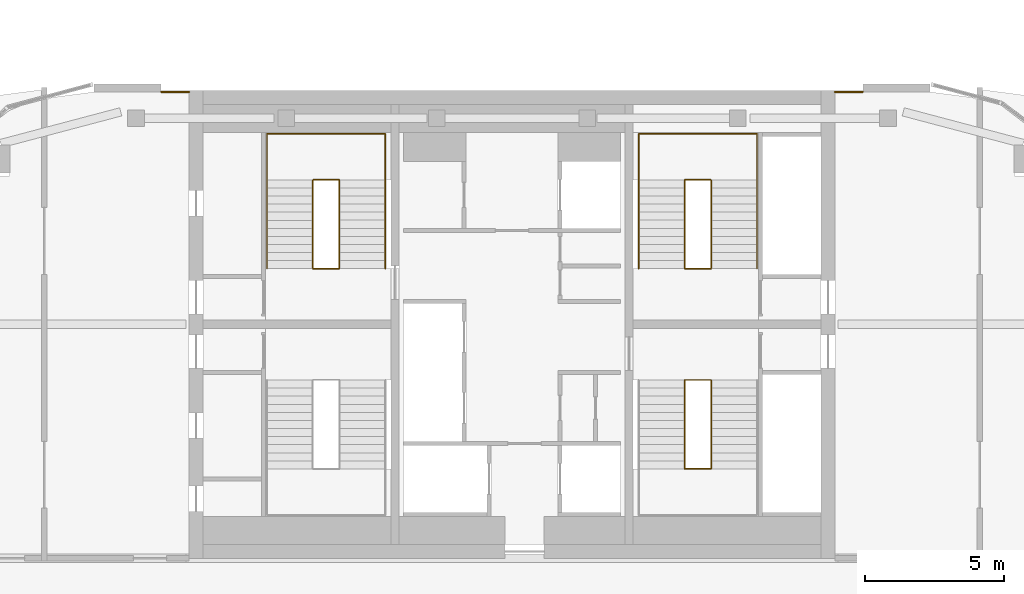
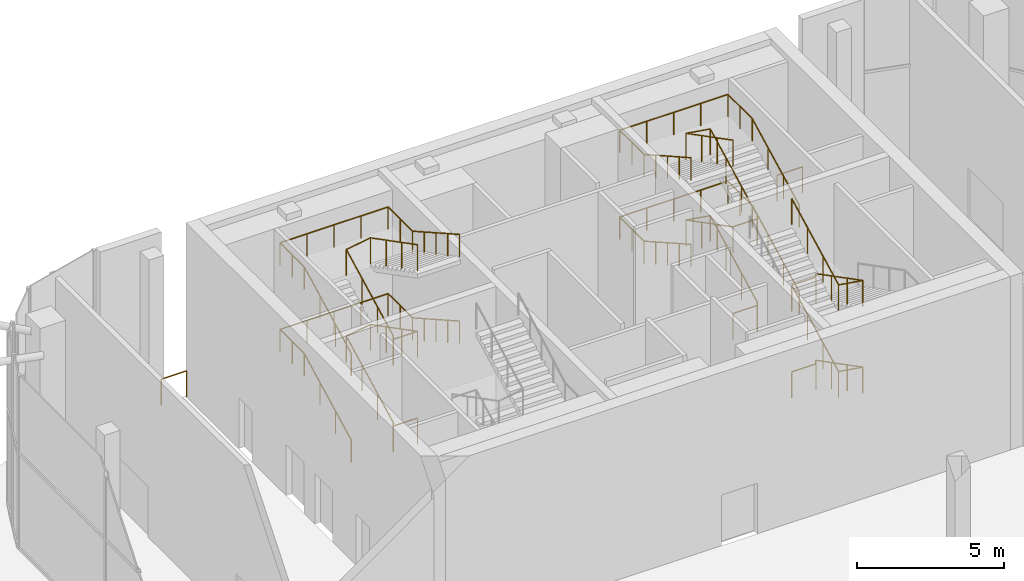
# One storey, part 25 of 25: 12 railings.
"""IFC4 building model written with IfcOpenShell, lengths in metres."""

from ifc_helpers import new_model, si_unit, direction, frame, origin, origin_2d, place, context, subcontext, project, spatial, circle, extrude, material, type_object, element, save


model = new_model("IFC4")

# Units and contexts
model_context = context("Model", 3, precision=1e-05, world=origin(), true_north=direction((0.0, 1.0)))
body_context = subcontext(model_context, "Body", "Model", "MODEL_VIEW")
ifc_project = project(units=[si_unit("LENGTHUNIT", "METRE"), si_unit("AREAUNIT", "SQUARE_METRE"), si_unit("VOLUMEUNIT", "CUBIC_METRE"), si_unit("PLANEANGLEUNIT", "RADIAN"), si_unit("MASSUNIT", "GRAM", prefix="KILO")], contexts=[model_context])

# Site, building, storey
site_placement = place(None, origin())
site = spatial("IfcSite", under=ifc_project, at=site_placement, CompositionType="ELEMENT")
building_placement = place(site_placement, origin())
building = spatial("IfcBuilding", under=site, at=building_placement, Name="Marenta Gate Hotel Tower", CompositionType="ELEMENT")
storey_placement = place(building_placement, frame((0.0, 0.0, 281.300048828125)))
storey = spatial("IfcBuildingStorey", under=building, at=storey_placement, Name="L65", CompositionType="ELEMENT", Elevation=281.300048828125)

# Railings
ifc_material_1 = material(Name="Stainless steel", Category="steel")
railing_type_1 = type_object("IfcRailingType", Name="Core stair handrail 950", PredefinedType="HANDRAIL", material=ifc_material_1)
railing_1_placement = place(storey_placement, frame((-8.800048828125, 10.39990234375, 0.14990234375)))
element("IfcRailing", 1, at=railing_1_placement, inside=storey, type_object=railing_type_1, Name="HR-950 L65-KR-ST2-1", PredefinedType="HANDRAIL", context=body_context, shape_type="SweptSolid", body=[
    extrude(circle(Radius=0.02392578125, at=origin_2d()), frame((0.0, 0.0, 0.92578125), z_axis=(0.0, 0.888211904222, 0.459434013977), x_axis=(-1.0, 0.0, 0.0)), (0.0, 0.0, 1.0), 3.591796875),
    extrude(circle(Radius=0.02392578125, at=origin_2d()), frame((0.0, 3.190185546875, 2.576171875), z_axis=(0.0, 1.0, 0.0), x_axis=(-1.0, 0.0, 0.0)), (0.0, 0.0, 1.0), 1.659912109375),
    extrude(circle(Radius=0.02392578125, at=origin_2d()), frame((0.0, 4.85009765625, 2.576171875), z_axis=(1.0, 0.0, 0.0), x_axis=(0.0, 1.0, 0.0)), (0.0, 0.0, 1.0), 4.25),
    extrude(circle(Radius=0.02392578125, at=origin_2d()), frame((4.25, 4.85009765625, 2.576171875), z_axis=(0.0, -1.0, 0.0), x_axis=(1.0, 0.0, 0.0)), (0.0, 0.0, 1.0), 1.659912109375),
    extrude(circle(Radius=0.02392578125, at=origin_2d()), frame((4.25, 3.190185546875, 2.576171875), z_axis=(0.0, -0.870953600603, 0.491365266982), x_axis=(1.0, 0.0, 0.0)), (0.0, 0.0, 1.0), 3.662841796875),
    extrude(circle(Radius=0.02099609375, at=origin_2d()), origin(), (0.0, 0.0, 1.0), 0.90185546875),
    extrude(circle(Radius=0.02099609375, at=origin_2d()), frame((0.0, 1.0634765625, 0.550048828125)), (0.0, 0.0, 1.0), 0.90185546875),
    extrude(circle(Radius=0.02099609375, at=origin_2d()), frame((0.0, 2.126708984375, 1.10009765625)), (0.0, 0.0, 1.0), 0.90185546875),
    extrude(circle(Radius=0.02099609375, at=origin_2d()), frame((0.0, 3.190185546875, 1.650146484375)), (0.0, 0.0, 1.0), 0.90185546875),
    extrude(circle(Radius=0.02099609375, at=origin_2d()), frame((0.0, 4.02001953125, 1.650146484375)), (0.0, 0.0, 1.0), 0.90185546875),
    extrude(circle(Radius=0.02099609375, at=origin_2d()), frame((0.0, 4.85009765625, 1.650146484375)), (0.0, 0.0, 1.0), 0.90185546875),
    extrude(circle(Radius=0.02099609375, at=origin_2d()), frame((1.0625, 4.85009765625, 1.650146484375)), (0.0, 0.0, 1.0), 0.90185546875),
    extrude(circle(Radius=0.02099609375, at=origin_2d()), frame((2.125, 4.85009765625, 1.650146484375)), (0.0, 0.0, 1.0), 0.90185546875),
    extrude(circle(Radius=0.02099609375, at=origin_2d()), frame((3.1875, 4.85009765625, 1.650146484375)), (0.0, 0.0, 1.0), 0.90185546875),
    extrude(circle(Radius=0.02099609375, at=origin_2d()), frame((4.25, 4.85009765625, 1.650146484375)), (0.0, 0.0, 1.0), 0.90185546875),
    extrude(circle(Radius=0.02099609375, at=origin_2d()), frame((4.25, 4.02001953125, 1.650146484375)), (0.0, 0.0, 1.0), 0.90185546875),
    extrude(circle(Radius=0.02099609375, at=origin_2d()), frame((4.25, 3.190185546875, 1.650146484375)), (0.0, 0.0, 1.0), 0.90185546875),
    extrude(circle(Radius=0.02099609375, at=origin_2d()), frame((4.25, 2.392578125, 2.10009765625)), (0.0, 0.0, 1.0), 0.90185546875),
    extrude(circle(Radius=0.02099609375, at=origin_2d()), frame((4.25, 1.59521484375, 2.550048828125)), (0.0, 0.0, 1.0), 0.90185546875),
    extrude(circle(Radius=0.02099609375, at=origin_2d()), frame((4.25, 0.797607421875, 3.0)), (0.0, 0.0, 1.0), 0.90185546875),
    extrude(circle(Radius=0.02099609375, at=origin_2d()), frame((4.25, 0.0, 3.449951171875)), (0.0, 0.0, 1.0), 0.90185546875),
])
railing_2_placement = place(storey_placement, frame((-8.800048828125, 10.39990234375, 3.75)))
element("IfcRailing", 2, at=railing_2_placement, inside=storey, type_object=railing_type_1, Name="HR-950 L65-KR-ST2-3", PredefinedType="HANDRAIL", context=body_context, shape_type="SweptSolid", body=[
    extrude(circle(Radius=0.02392578125, at=origin_2d()), frame((0.0, 0.0, 0.92578125), z_axis=(0.0, 0.888239641807, 0.459380385653), x_axis=(-1.0, 0.0, 0.0)), (0.0, 0.0, 1.0), 3.591552734375),
    extrude(circle(Radius=0.02392578125, at=origin_2d()), frame((0.0, 3.190185546875, 2.57568359375), z_axis=(0.0, 1.0, 0.0), x_axis=(-1.0, 0.0, 0.0)), (0.0, 0.0, 1.0), 1.659912109375),
    extrude(circle(Radius=0.02392578125, at=origin_2d()), frame((0.0, 4.85009765625, 2.57568359375), z_axis=(1.0, 0.0, 0.0), x_axis=(0.0, 1.0, 0.0)), (0.0, 0.0, 1.0), 4.25),
    extrude(circle(Radius=0.02392578125, at=origin_2d()), frame((4.25, 4.85009765625, 2.57568359375), z_axis=(0.0, -1.0, 0.0), x_axis=(1.0, 0.0, 0.0)), (0.0, 0.0, 1.0), 1.659912109375),
    extrude(circle(Radius=0.02392578125, at=origin_2d()), frame((4.25, 3.190185546875, 2.57568359375), z_axis=(0.0, -0.870925075533, 0.491415824742), x_axis=(1.0, 0.0, 0.0)), (0.0, 0.0, 1.0), 3.6630859375),
    extrude(circle(Radius=0.02099609375, at=origin_2d()), origin(), (0.0, 0.0, 1.0), 0.90185546875),
    extrude(circle(Radius=0.02099609375, at=origin_2d()), frame((0.0, 1.0634765625, 0.550048828125)), (0.0, 0.0, 1.0), 0.90185546875),
    extrude(circle(Radius=0.02099609375, at=origin_2d()), frame((0.0, 2.126708984375, 1.099853515625)), (0.0, 0.0, 1.0), 0.90185546875),
    extrude(circle(Radius=0.02099609375, at=origin_2d()), frame((0.0, 3.190185546875, 1.64990234375)), (0.0, 0.0, 1.0), 0.90185546875),
    extrude(circle(Radius=0.02099609375, at=origin_2d()), frame((0.0, 4.02001953125, 1.64990234375)), (0.0, 0.0, 1.0), 0.90185546875),
    extrude(circle(Radius=0.02099609375, at=origin_2d()), frame((0.0, 4.85009765625, 1.64990234375)), (0.0, 0.0, 1.0), 0.90185546875),
    extrude(circle(Radius=0.02099609375, at=origin_2d()), frame((1.0625, 4.85009765625, 1.64990234375)), (0.0, 0.0, 1.0), 0.90185546875),
    extrude(circle(Radius=0.02099609375, at=origin_2d()), frame((2.125, 4.85009765625, 1.64990234375)), (0.0, 0.0, 1.0), 0.90185546875),
    extrude(circle(Radius=0.02099609375, at=origin_2d()), frame((3.1875, 4.85009765625, 1.64990234375)), (0.0, 0.0, 1.0), 0.90185546875),
    extrude(circle(Radius=0.02099609375, at=origin_2d()), frame((4.25, 4.85009765625, 1.64990234375)), (0.0, 0.0, 1.0), 0.90185546875),
    extrude(circle(Radius=0.02099609375, at=origin_2d()), frame((4.25, 4.02001953125, 1.64990234375)), (0.0, 0.0, 1.0), 0.90185546875),
    extrude(circle(Radius=0.02099609375, at=origin_2d()), frame((4.25, 3.190185546875, 1.64990234375)), (0.0, 0.0, 1.0), 0.90185546875),
    extrude(circle(Radius=0.02099609375, at=origin_2d()), frame((4.25, 2.392578125, 2.099853515625)), (0.0, 0.0, 1.0), 0.90185546875),
    extrude(circle(Radius=0.02099609375, at=origin_2d()), frame((4.25, 1.59521484375, 2.5498046875)), (0.0, 0.0, 1.0), 0.90185546875),
    extrude(circle(Radius=0.02099609375, at=origin_2d()), frame((4.25, 0.797607421875, 3.0)), (0.0, 0.0, 1.0), 0.90185546875),
    extrude(circle(Radius=0.02099609375, at=origin_2d()), frame((4.25, 0.0, 3.449951171875)), (0.0, 0.0, 1.0), 0.90185546875),
])
railing_3_placement = place(storey_placement, frame((8.800048828125, 10.39990234375, 0.14990234375)))
element("IfcRailing", 3, at=railing_3_placement, inside=storey, type_object=railing_type_1, Name="HR-950 L65-KR-ST4-1", PredefinedType="HANDRAIL", context=body_context, shape_type="SweptSolid", body=[
    extrude(circle(Radius=0.02392578125, at=origin_2d()), frame((0.0, 0.0, 0.92578125), z_axis=(0.0, 0.888211904222, 0.459434013977), x_axis=(-1.0, 0.0, 0.0)), (0.0, 0.0, 1.0), 3.591796875),
    extrude(circle(Radius=0.02392578125, at=origin_2d()), frame((0.0, 3.190185546875, 2.576171875), z_axis=(0.0, 1.0, 0.0), x_axis=(-1.0, 0.0, 0.0)), (0.0, 0.0, 1.0), 1.659912109375),
    extrude(circle(Radius=0.02392578125, at=origin_2d()), frame((0.0, 4.85009765625, 2.576171875), z_axis=(-1.0, 0.0, 0.0), x_axis=(0.0, -1.0, 0.0)), (0.0, 0.0, 1.0), 4.25),
    extrude(circle(Radius=0.02392578125, at=origin_2d()), frame((-4.25, 4.85009765625, 2.576171875), z_axis=(0.0, -1.0, 0.0), x_axis=(1.0, 0.0, 0.0)), (0.0, 0.0, 1.0), 1.659912109375),
    extrude(circle(Radius=0.02392578125, at=origin_2d()), frame((-4.25, 3.190185546875, 2.576171875), z_axis=(0.0, -0.870953600603, 0.491365266982), x_axis=(1.0, 0.0, 0.0)), (0.0, 0.0, 1.0), 3.662841796875),
    extrude(circle(Radius=0.02099609375, at=origin_2d()), origin(), (0.0, 0.0, 1.0), 0.90185546875),
    extrude(circle(Radius=0.02099609375, at=origin_2d()), frame((0.0, 1.0634765625, 0.550048828125)), (0.0, 0.0, 1.0), 0.90185546875),
    extrude(circle(Radius=0.02099609375, at=origin_2d()), frame((0.0, 2.126708984375, 1.10009765625)), (0.0, 0.0, 1.0), 0.90185546875),
    extrude(circle(Radius=0.02099609375, at=origin_2d()), frame((0.0, 3.190185546875, 1.650146484375)), (0.0, 0.0, 1.0), 0.90185546875),
    extrude(circle(Radius=0.02099609375, at=origin_2d()), frame((0.0, 4.02001953125, 1.650146484375)), (0.0, 0.0, 1.0), 0.90185546875),
    extrude(circle(Radius=0.02099609375, at=origin_2d()), frame((0.0, 4.85009765625, 1.650146484375)), (0.0, 0.0, 1.0), 0.90185546875),
    extrude(circle(Radius=0.02099609375, at=origin_2d()), frame((-1.0625, 4.85009765625, 1.650146484375)), (0.0, 0.0, 1.0), 0.90185546875),
    extrude(circle(Radius=0.02099609375, at=origin_2d()), frame((-2.125, 4.85009765625, 1.650146484375)), (0.0, 0.0, 1.0), 0.90185546875),
    extrude(circle(Radius=0.02099609375, at=origin_2d()), frame((-3.1875, 4.85009765625, 1.650146484375)), (0.0, 0.0, 1.0), 0.90185546875),
    extrude(circle(Radius=0.02099609375, at=origin_2d()), frame((-4.25, 4.85009765625, 1.650146484375)), (0.0, 0.0, 1.0), 0.90185546875),
    extrude(circle(Radius=0.02099609375, at=origin_2d()), frame((-4.25, 4.02001953125, 1.650146484375)), (0.0, 0.0, 1.0), 0.90185546875),
    extrude(circle(Radius=0.02099609375, at=origin_2d()), frame((-4.25, 3.190185546875, 1.650146484375)), (0.0, 0.0, 1.0), 0.90185546875),
    extrude(circle(Radius=0.02099609375, at=origin_2d()), frame((-4.25, 2.392578125, 2.10009765625)), (0.0, 0.0, 1.0), 0.90185546875),
    extrude(circle(Radius=0.02099609375, at=origin_2d()), frame((-4.25, 1.59521484375, 2.550048828125)), (0.0, 0.0, 1.0), 0.90185546875),
    extrude(circle(Radius=0.02099609375, at=origin_2d()), frame((-4.25, 0.797607421875, 3.0)), (0.0, 0.0, 1.0), 0.90185546875),
    extrude(circle(Radius=0.02099609375, at=origin_2d()), frame((-4.25, 0.0, 3.449951171875)), (0.0, 0.0, 1.0), 0.90185546875),
])
railing_4_placement = place(storey_placement, frame((8.800048828125, 10.39990234375, 3.75)))
element("IfcRailing", 4, at=railing_4_placement, inside=storey, type_object=railing_type_1, Name="HR-950 L65-KR-ST4-3", PredefinedType="HANDRAIL", context=body_context, shape_type="SweptSolid", body=[
    extrude(circle(Radius=0.02392578125, at=origin_2d()), frame((0.0, 0.0, 0.92578125), z_axis=(0.0, 0.888239641807, 0.459380385653), x_axis=(-1.0, 0.0, 0.0)), (0.0, 0.0, 1.0), 3.591552734375),
    extrude(circle(Radius=0.02392578125, at=origin_2d()), frame((0.0, 3.190185546875, 2.57568359375), z_axis=(0.0, 1.0, 0.0), x_axis=(-1.0, 0.0, 0.0)), (0.0, 0.0, 1.0), 1.659912109375),
    extrude(circle(Radius=0.02392578125, at=origin_2d()), frame((0.0, 4.85009765625, 2.57568359375), z_axis=(-1.0, 0.0, 0.0), x_axis=(0.0, -1.0, 0.0)), (0.0, 0.0, 1.0), 4.25),
    extrude(circle(Radius=0.02392578125, at=origin_2d()), frame((-4.25, 4.85009765625, 2.57568359375), z_axis=(0.0, -1.0, 0.0), x_axis=(1.0, 0.0, 0.0)), (0.0, 0.0, 1.0), 1.659912109375),
    extrude(circle(Radius=0.02392578125, at=origin_2d()), frame((-4.25, 3.190185546875, 2.57568359375), z_axis=(0.0, -0.870925075533, 0.491415824742), x_axis=(1.0, 0.0, 0.0)), (0.0, 0.0, 1.0), 3.6630859375),
    extrude(circle(Radius=0.02099609375, at=origin_2d()), origin(), (0.0, 0.0, 1.0), 0.90185546875),
    extrude(circle(Radius=0.02099609375, at=origin_2d()), frame((0.0, 1.0634765625, 0.550048828125)), (0.0, 0.0, 1.0), 0.90185546875),
    extrude(circle(Radius=0.02099609375, at=origin_2d()), frame((0.0, 2.126708984375, 1.099853515625)), (0.0, 0.0, 1.0), 0.90185546875),
    extrude(circle(Radius=0.02099609375, at=origin_2d()), frame((0.0, 3.190185546875, 1.64990234375)), (0.0, 0.0, 1.0), 0.90185546875),
    extrude(circle(Radius=0.02099609375, at=origin_2d()), frame((0.0, 4.02001953125, 1.64990234375)), (0.0, 0.0, 1.0), 0.90185546875),
    extrude(circle(Radius=0.02099609375, at=origin_2d()), frame((0.0, 4.85009765625, 1.64990234375)), (0.0, 0.0, 1.0), 0.90185546875),
    extrude(circle(Radius=0.02099609375, at=origin_2d()), frame((-1.0625, 4.85009765625, 1.64990234375)), (0.0, 0.0, 1.0), 0.90185546875),
    extrude(circle(Radius=0.02099609375, at=origin_2d()), frame((-2.125, 4.85009765625, 1.64990234375)), (0.0, 0.0, 1.0), 0.90185546875),
    extrude(circle(Radius=0.02099609375, at=origin_2d()), frame((-3.1875, 4.85009765625, 1.64990234375)), (0.0, 0.0, 1.0), 0.90185546875),
    extrude(circle(Radius=0.02099609375, at=origin_2d()), frame((-4.25, 4.85009765625, 1.64990234375)), (0.0, 0.0, 1.0), 0.90185546875),
    extrude(circle(Radius=0.02099609375, at=origin_2d()), frame((-4.25, 4.02001953125, 1.64990234375)), (0.0, 0.0, 1.0), 0.90185546875),
    extrude(circle(Radius=0.02099609375, at=origin_2d()), frame((-4.25, 3.190185546875, 1.64990234375)), (0.0, 0.0, 1.0), 0.90185546875),
    extrude(circle(Radius=0.02099609375, at=origin_2d()), frame((-4.25, 2.392578125, 2.099853515625)), (0.0, 0.0, 1.0), 0.90185546875),
    extrude(circle(Radius=0.02099609375, at=origin_2d()), frame((-4.25, 1.59521484375, 2.5498046875)), (0.0, 0.0, 1.0), 0.90185546875),
    extrude(circle(Radius=0.02099609375, at=origin_2d()), frame((-4.25, 0.797607421875, 3.0)), (0.0, 0.0, 1.0), 0.90185546875),
    extrude(circle(Radius=0.02099609375, at=origin_2d()), frame((-4.25, 0.0, 3.449951171875)), (0.0, 0.0, 1.0), 0.90185546875),
])
ifc_material_2 = material(Name="Stainless steel", Category="steel")
railing_type_2 = type_object("IfcRailingType", Name="Core stair well guard 1100", PredefinedType="GUARDRAIL", material=ifc_material_2)
railing_5_placement = place(storey_placement, frame((-6.199951171875, 10.39990234375, 0.0)))
element("IfcRailing", 5, at=railing_5_placement, inside=storey, type_object=railing_type_2, Name="GR-1100 L65-KR-ST2-2", PredefinedType="GUARDRAIL", context=body_context, shape_type="SweptSolid", body=[
    extrude(circle(Radius=0.02392578125, at=origin_2d()), frame((0.0, 0.0, 1.076171875), z_axis=(-1.0, 0.0, 0.0), x_axis=(0.0, -1.0, 0.0)), (0.0, 0.0, 1.0), 0.949951171875),
    extrude(circle(Radius=0.02392578125, at=origin_2d()), frame((-0.949951171875, 0.0, 1.076171875), z_axis=(0.0, 0.0, 1.0), x_axis=(1.0, 0.0, 0.0)), (0.0, 0.0, 1.0), 0.14990234375),
    extrude(circle(Radius=0.02392578125, at=origin_2d()), frame((-0.949951171875, 0.0, 1.22607421875), z_axis=(0.0, 0.888211904222, 0.459434013977), x_axis=(-1.0, 0.0, 0.0)), (0.0, 0.0, 1.0), 3.591796875),
    extrude(circle(Radius=0.02392578125, at=origin_2d()), frame((-0.949951171875, 3.190185546875, 2.8759765625), z_axis=(0.987777369502, 0.0, 0.15587131968), x_axis=(0.0, 1.0, 0.0)), (0.0, 0.0, 1.0), 0.961669921875),
    extrude(circle(Radius=0.02392578125, at=origin_2d()), frame((0.0, 3.190185546875, 3.02587890625), z_axis=(0.0, -0.888239641807, 0.459380385653), x_axis=(1.0, 0.0, 0.0)), (0.0, 0.0, 1.0), 3.591552734375),
    extrude(circle(Radius=0.02099609375, at=origin_2d()), origin(), (0.0, 0.0, 1.0), 1.052001953125),
    extrude(circle(Radius=0.02099609375, at=origin_2d()), frame((-0.949951171875, 0.0, 0.0)), (0.0, 0.0, 1.0), 1.052001953125),
    extrude(circle(Radius=0.02099609375, at=origin_2d()), frame((-0.949951171875, 0.0, 0.14990234375)), (0.0, 0.0, 1.0), 1.052001953125),
    extrude(circle(Radius=0.02099609375, at=origin_2d()), frame((-0.949951171875, 1.0634765625, 0.699951171875)), (0.0, 0.0, 1.0), 1.052001953125),
    extrude(circle(Radius=0.02099609375, at=origin_2d()), frame((-0.949951171875, 2.126708984375, 1.25)), (0.0, 0.0, 1.0), 1.052001953125),
    extrude(circle(Radius=0.02099609375, at=origin_2d()), frame((-0.949951171875, 3.190185546875, 1.800048828125)), (0.0, 0.0, 1.0), 1.052001953125),
    extrude(circle(Radius=0.02099609375, at=origin_2d()), frame((0.0, 3.190185546875, 1.949951171875)), (0.0, 0.0, 1.0), 1.052001953125),
    extrude(circle(Radius=0.02099609375, at=origin_2d()), frame((0.0, 2.126708984375, 2.5)), (0.0, 0.0, 1.0), 1.052001953125),
    extrude(circle(Radius=0.02099609375, at=origin_2d()), frame((0.0, 1.0634765625, 3.0498046875)), (0.0, 0.0, 1.0), 1.052001953125),
    extrude(circle(Radius=0.02099609375, at=origin_2d()), frame((0.0, 0.0, 3.599853515625)), (0.0, 0.0, 1.0), 1.052001953125),
])
railing_6_placement = place(storey_placement, frame((-6.199951171875, 10.39990234375, 3.599853515625)))
element("IfcRailing", 6, at=railing_6_placement, inside=storey, type_object=railing_type_2, Name="GR-1100 L65-KR-ST2-4", PredefinedType="GUARDRAIL", context=body_context, shape_type="SweptSolid", body=[
    extrude(circle(Radius=0.02392578125, at=origin_2d()), frame((0.0, 0.0, 1.076171875), z_axis=(-1.0, 0.0, 0.0), x_axis=(0.0, -1.0, 0.0)), (0.0, 0.0, 1.0), 0.949951171875),
    extrude(circle(Radius=0.02392578125, at=origin_2d()), frame((-0.949951171875, 0.0, 1.076171875), z_axis=(0.0, 0.0, 1.0), x_axis=(1.0, 0.0, 0.0)), (0.0, 0.0, 1.0), 0.150146484375),
    extrude(circle(Radius=0.02392578125, at=origin_2d()), frame((-0.949951171875, 0.0, 1.22607421875), z_axis=(0.0, 0.888239641807, 0.459380385653), x_axis=(-1.0, 0.0, 0.0)), (0.0, 0.0, 1.0), 3.591552734375),
    extrude(circle(Radius=0.02392578125, at=origin_2d()), frame((-0.949951171875, 3.190185546875, 2.8759765625), z_axis=(0.987738253826, 0.0, 0.156118999255), x_axis=(0.0, 1.0, 0.0)), (0.0, 0.0, 1.0), 0.961669921875),
    extrude(circle(Radius=0.02392578125, at=origin_2d()), frame((0.0, 3.190185546875, 3.0263671875), z_axis=(0.0, -0.888239641807, 0.459380385653), x_axis=(1.0, 0.0, 0.0)), (0.0, 0.0, 1.0), 3.591552734375),
    extrude(circle(Radius=0.02099609375, at=origin_2d()), origin(), (0.0, 0.0, 1.0), 1.052001953125),
    extrude(circle(Radius=0.02099609375, at=origin_2d()), frame((-0.949951171875, 0.0, 0.0)), (0.0, 0.0, 1.0), 1.052001953125),
    extrude(circle(Radius=0.02099609375, at=origin_2d()), frame((-0.949951171875, 0.0, 0.150146484375)), (0.0, 0.0, 1.0), 1.052001953125),
    extrude(circle(Radius=0.02099609375, at=origin_2d()), frame((-0.949951171875, 1.0634765625, 0.7001953125)), (0.0, 0.0, 1.0), 1.052001953125),
    extrude(circle(Radius=0.02099609375, at=origin_2d()), frame((-0.949951171875, 2.126708984375, 1.25)), (0.0, 0.0, 1.0), 1.052001953125),
    extrude(circle(Radius=0.02099609375, at=origin_2d()), frame((-0.949951171875, 3.190185546875, 1.800048828125)), (0.0, 0.0, 1.0), 1.052001953125),
    extrude(circle(Radius=0.02099609375, at=origin_2d()), frame((0.0, 3.190185546875, 1.9501953125)), (0.0, 0.0, 1.0), 1.052001953125),
    extrude(circle(Radius=0.02099609375, at=origin_2d()), frame((0.0, 2.126708984375, 2.500244140625)), (0.0, 0.0, 1.0), 1.052001953125),
    extrude(circle(Radius=0.02099609375, at=origin_2d()), frame((0.0, 1.0634765625, 3.050048828125)), (0.0, 0.0, 1.0), 1.052001953125),
    extrude(circle(Radius=0.02099609375, at=origin_2d()), frame((0.0, 0.0, 3.60009765625)), (0.0, 0.0, 1.0), 1.052001953125),
])
railing_7_placement = place(storey_placement, frame((6.199951171875, 6.39990234375, 0.0)))
element("IfcRailing", 7, at=railing_7_placement, inside=storey, type_object=railing_type_2, Name="GR-1100 L65-KR-ST3-2", PredefinedType="GUARDRAIL", context=body_context, shape_type="SweptSolid", body=[
    extrude(circle(Radius=0.02392578125, at=origin_2d()), frame((0.0, 0.0, 1.076171875), z_axis=(1.0, 0.0, 0.0), x_axis=(0.0, 1.0, 0.0)), (0.0, 0.0, 1.0), 0.949951171875),
    extrude(circle(Radius=0.02392578125, at=origin_2d()), frame((0.949951171875, 0.0, 1.076171875), z_axis=(0.0, 0.0, 1.0), x_axis=(1.0, 0.0, 0.0)), (0.0, 0.0, 1.0), 0.14990234375),
    extrude(circle(Radius=0.02392578125, at=origin_2d()), frame((0.949951171875, 0.0, 1.22607421875), z_axis=(0.0, -0.888197555067, 0.459461753765), x_axis=(1.0, 0.0, 0.0)), (0.0, 0.0, 1.0), 3.591552734375),
    extrude(circle(Radius=0.02392578125, at=origin_2d()), frame((0.949951171875, -3.18994140625, 2.8759765625), z_axis=(-0.987777369502, 0.0, 0.15587131968), x_axis=(0.0, -1.0, 0.0)), (0.0, 0.0, 1.0), 0.961669921875),
    extrude(circle(Radius=0.02392578125, at=origin_2d()), frame((0.0, -3.18994140625, 3.02587890625), z_axis=(0.0, 0.888225295554, 0.459408123936), x_axis=(-1.0, 0.0, 0.0)), (0.0, 0.0, 1.0), 3.59130859375),
    extrude(circle(Radius=0.02099609375, at=origin_2d()), origin(), (0.0, 0.0, 1.0), 1.052001953125),
    extrude(circle(Radius=0.02099609375, at=origin_2d()), frame((0.949951171875, 0.0, 0.0)), (0.0, 0.0, 1.0), 1.052001953125),
    extrude(circle(Radius=0.02099609375, at=origin_2d()), frame((0.949951171875, 0.0, 0.14990234375)), (0.0, 0.0, 1.0), 1.052001953125),
    extrude(circle(Radius=0.02099609375, at=origin_2d()), frame((0.949951171875, -1.063232421875, 0.699951171875)), (0.0, 0.0, 1.0), 1.052001953125),
    extrude(circle(Radius=0.02099609375, at=origin_2d()), frame((0.949951171875, -2.126708984375, 1.25)), (0.0, 0.0, 1.0), 1.052001953125),
    extrude(circle(Radius=0.02099609375, at=origin_2d()), frame((0.949951171875, -3.18994140625, 1.800048828125)), (0.0, 0.0, 1.0), 1.052001953125),
    extrude(circle(Radius=0.02099609375, at=origin_2d()), frame((0.0, -3.18994140625, 1.949951171875)), (0.0, 0.0, 1.0), 1.052001953125),
    extrude(circle(Radius=0.02099609375, at=origin_2d()), frame((0.0, -2.126708984375, 2.5)), (0.0, 0.0, 1.0), 1.052001953125),
    extrude(circle(Radius=0.02099609375, at=origin_2d()), frame((0.0, -1.063232421875, 3.0498046875)), (0.0, 0.0, 1.0), 1.052001953125),
    extrude(circle(Radius=0.02099609375, at=origin_2d()), frame((0.0, 0.0, 3.599853515625)), (0.0, 0.0, 1.0), 1.052001953125),
])
railing_8_placement = place(storey_placement, frame((6.199951171875, 6.39990234375, 3.599853515625)))
element("IfcRailing", 8, at=railing_8_placement, inside=storey, type_object=railing_type_2, Name="GR-1100 L65-KR-ST3-4", PredefinedType="GUARDRAIL", context=body_context, shape_type="SweptSolid", body=[
    extrude(circle(Radius=0.02392578125, at=origin_2d()), frame((0.0, 0.0, 1.076171875), z_axis=(1.0, 0.0, 0.0), x_axis=(0.0, 1.0, 0.0)), (0.0, 0.0, 1.0), 0.949951171875),
    extrude(circle(Radius=0.02392578125, at=origin_2d()), frame((0.949951171875, 0.0, 1.076171875), z_axis=(0.0, 0.0, 1.0), x_axis=(1.0, 0.0, 0.0)), (0.0, 0.0, 1.0), 0.150146484375),
    extrude(circle(Radius=0.02392578125, at=origin_2d()), frame((0.949951171875, 0.0, 1.22607421875), z_axis=(0.0, -0.888225295554, 0.459408123936), x_axis=(1.0, 0.0, 0.0)), (0.0, 0.0, 1.0), 3.59130859375),
    extrude(circle(Radius=0.02392578125, at=origin_2d()), frame((0.949951171875, -3.18994140625, 2.8759765625), z_axis=(-0.987738253826, 0.0, 0.156118999255), x_axis=(0.0, -1.0, 0.0)), (0.0, 0.0, 1.0), 0.961669921875),
    extrude(circle(Radius=0.02392578125, at=origin_2d()), frame((0.0, -3.18994140625, 3.0263671875), z_axis=(0.0, 0.888225295554, 0.459408123936), x_axis=(-1.0, 0.0, 0.0)), (0.0, 0.0, 1.0), 3.59130859375),
    extrude(circle(Radius=0.02099609375, at=origin_2d()), origin(), (0.0, 0.0, 1.0), 1.052001953125),
    extrude(circle(Radius=0.02099609375, at=origin_2d()), frame((0.949951171875, 0.0, 0.0)), (0.0, 0.0, 1.0), 1.052001953125),
    extrude(circle(Radius=0.02099609375, at=origin_2d()), frame((0.949951171875, 0.0, 0.150146484375)), (0.0, 0.0, 1.0), 1.052001953125),
    extrude(circle(Radius=0.02099609375, at=origin_2d()), frame((0.949951171875, -1.063232421875, 0.7001953125)), (0.0, 0.0, 1.0), 1.052001953125),
    extrude(circle(Radius=0.02099609375, at=origin_2d()), frame((0.949951171875, -2.126708984375, 1.25)), (0.0, 0.0, 1.0), 1.052001953125),
    extrude(circle(Radius=0.02099609375, at=origin_2d()), frame((0.949951171875, -3.18994140625, 1.800048828125)), (0.0, 0.0, 1.0), 1.052001953125),
    extrude(circle(Radius=0.02099609375, at=origin_2d()), frame((0.0, -3.18994140625, 1.9501953125)), (0.0, 0.0, 1.0), 1.052001953125),
    extrude(circle(Radius=0.02099609375, at=origin_2d()), frame((0.0, -2.126708984375, 2.500244140625)), (0.0, 0.0, 1.0), 1.052001953125),
    extrude(circle(Radius=0.02099609375, at=origin_2d()), frame((0.0, -1.063232421875, 3.050048828125)), (0.0, 0.0, 1.0), 1.052001953125),
    extrude(circle(Radius=0.02099609375, at=origin_2d()), frame((0.0, 0.0, 3.60009765625)), (0.0, 0.0, 1.0), 1.052001953125),
])
railing_9_placement = place(storey_placement, frame((6.199951171875, 10.39990234375, 0.0)))
element("IfcRailing", 9, at=railing_9_placement, inside=storey, type_object=railing_type_2, Name="GR-1100 L65-KR-ST4-2", PredefinedType="GUARDRAIL", context=body_context, shape_type="SweptSolid", body=[
    extrude(circle(Radius=0.02392578125, at=origin_2d()), frame((0.0, 0.0, 1.076171875), z_axis=(1.0, 0.0, 0.0), x_axis=(0.0, 1.0, 0.0)), (0.0, 0.0, 1.0), 0.949951171875),
    extrude(circle(Radius=0.02392578125, at=origin_2d()), frame((0.949951171875, 0.0, 1.076171875), z_axis=(0.0, 0.0, 1.0), x_axis=(1.0, 0.0, 0.0)), (0.0, 0.0, 1.0), 0.14990234375),
    extrude(circle(Radius=0.02392578125, at=origin_2d()), frame((0.949951171875, 0.0, 1.22607421875), z_axis=(0.0, 0.888211904222, 0.459434013977), x_axis=(-1.0, 0.0, 0.0)), (0.0, 0.0, 1.0), 3.591796875),
    extrude(circle(Radius=0.02392578125, at=origin_2d()), frame((0.949951171875, 3.190185546875, 2.8759765625), z_axis=(-0.987777369502, 0.0, 0.15587131968), x_axis=(0.0, -1.0, 0.0)), (0.0, 0.0, 1.0), 0.961669921875),
    extrude(circle(Radius=0.02392578125, at=origin_2d()), frame((0.0, 3.190185546875, 3.02587890625), z_axis=(0.0, -0.888239641807, 0.459380385653), x_axis=(1.0, 0.0, 0.0)), (0.0, 0.0, 1.0), 3.591552734375),
    extrude(circle(Radius=0.02099609375, at=origin_2d()), origin(), (0.0, 0.0, 1.0), 1.052001953125),
    extrude(circle(Radius=0.02099609375, at=origin_2d()), frame((0.949951171875, 0.0, 0.0)), (0.0, 0.0, 1.0), 1.052001953125),
    extrude(circle(Radius=0.02099609375, at=origin_2d()), frame((0.949951171875, 0.0, 0.14990234375)), (0.0, 0.0, 1.0), 1.052001953125),
    extrude(circle(Radius=0.02099609375, at=origin_2d()), frame((0.949951171875, 1.0634765625, 0.699951171875)), (0.0, 0.0, 1.0), 1.052001953125),
    extrude(circle(Radius=0.02099609375, at=origin_2d()), frame((0.949951171875, 2.126708984375, 1.25)), (0.0, 0.0, 1.0), 1.052001953125),
    extrude(circle(Radius=0.02099609375, at=origin_2d()), frame((0.949951171875, 3.190185546875, 1.800048828125)), (0.0, 0.0, 1.0), 1.052001953125),
    extrude(circle(Radius=0.02099609375, at=origin_2d()), frame((0.0, 3.190185546875, 1.949951171875)), (0.0, 0.0, 1.0), 1.052001953125),
    extrude(circle(Radius=0.02099609375, at=origin_2d()), frame((0.0, 2.126708984375, 2.5)), (0.0, 0.0, 1.0), 1.052001953125),
    extrude(circle(Radius=0.02099609375, at=origin_2d()), frame((0.0, 1.0634765625, 3.0498046875)), (0.0, 0.0, 1.0), 1.052001953125),
    extrude(circle(Radius=0.02099609375, at=origin_2d()), frame((0.0, 0.0, 3.599853515625)), (0.0, 0.0, 1.0), 1.052001953125),
])
railing_10_placement = place(storey_placement, frame((6.199951171875, 10.39990234375, 3.599853515625)))
element("IfcRailing", 10, at=railing_10_placement, inside=storey, type_object=railing_type_2, Name="GR-1100 L65-KR-ST4-4", PredefinedType="GUARDRAIL", context=body_context, shape_type="SweptSolid", body=[
    extrude(circle(Radius=0.02392578125, at=origin_2d()), frame((0.0, 0.0, 1.076171875), z_axis=(1.0, 0.0, 0.0), x_axis=(0.0, 1.0, 0.0)), (0.0, 0.0, 1.0), 0.949951171875),
    extrude(circle(Radius=0.02392578125, at=origin_2d()), frame((0.949951171875, 0.0, 1.076171875), z_axis=(0.0, 0.0, 1.0), x_axis=(1.0, 0.0, 0.0)), (0.0, 0.0, 1.0), 0.150146484375),
    extrude(circle(Radius=0.02392578125, at=origin_2d()), frame((0.949951171875, 0.0, 1.22607421875), z_axis=(0.0, 0.888239641807, 0.459380385653), x_axis=(-1.0, 0.0, 0.0)), (0.0, 0.0, 1.0), 3.591552734375),
    extrude(circle(Radius=0.02392578125, at=origin_2d()), frame((0.949951171875, 3.190185546875, 2.8759765625), z_axis=(-0.987738253826, 0.0, 0.156118999255), x_axis=(0.0, -1.0, 0.0)), (0.0, 0.0, 1.0), 0.961669921875),
    extrude(circle(Radius=0.02392578125, at=origin_2d()), frame((0.0, 3.190185546875, 3.0263671875), z_axis=(0.0, -0.888239641807, 0.459380385653), x_axis=(1.0, 0.0, 0.0)), (0.0, 0.0, 1.0), 3.591552734375),
    extrude(circle(Radius=0.02099609375, at=origin_2d()), origin(), (0.0, 0.0, 1.0), 1.052001953125),
    extrude(circle(Radius=0.02099609375, at=origin_2d()), frame((0.949951171875, 0.0, 0.0)), (0.0, 0.0, 1.0), 1.052001953125),
    extrude(circle(Radius=0.02099609375, at=origin_2d()), frame((0.949951171875, 0.0, 0.150146484375)), (0.0, 0.0, 1.0), 1.052001953125),
    extrude(circle(Radius=0.02099609375, at=origin_2d()), frame((0.949951171875, 1.0634765625, 0.7001953125)), (0.0, 0.0, 1.0), 1.052001953125),
    extrude(circle(Radius=0.02099609375, at=origin_2d()), frame((0.949951171875, 2.126708984375, 1.25)), (0.0, 0.0, 1.0), 1.052001953125),
    extrude(circle(Radius=0.02099609375, at=origin_2d()), frame((0.949951171875, 3.190185546875, 1.800048828125)), (0.0, 0.0, 1.0), 1.052001953125),
    extrude(circle(Radius=0.02099609375, at=origin_2d()), frame((0.0, 3.190185546875, 1.9501953125)), (0.0, 0.0, 1.0), 1.052001953125),
    extrude(circle(Radius=0.02099609375, at=origin_2d()), frame((0.0, 2.126708984375, 2.500244140625)), (0.0, 0.0, 1.0), 1.052001953125),
    extrude(circle(Radius=0.02099609375, at=origin_2d()), frame((0.0, 1.0634765625, 3.050048828125)), (0.0, 0.0, 1.0), 1.052001953125),
    extrude(circle(Radius=0.02099609375, at=origin_2d()), frame((0.0, 0.0, 3.60009765625)), (0.0, 0.0, 1.0), 1.052001953125),
])
ifc_material_3 = material(Name="Stainless steel", Category="steel")
railing_type_3 = type_object("IfcRailingType", Name="Slab edge guard 1100", PredefinedType="GUARDRAIL", material=ifc_material_3)
railing_11_placement = place(storey_placement, frame((11.60009765625, 16.75, 0.0)))
element("IfcRailing", 11, at=railing_11_placement, inside=storey, type_object=railing_type_3, Name="GR-1100E L65-KR-EGE-1", PredefinedType="GUARDRAIL", context=body_context, shape_type="SweptSolid", body=[
    extrude(circle(Radius=0.02392578125, at=origin_2d()), frame((0.0, 0.0, 1.076171875), z_axis=(1.0, 0.0, 0.0), x_axis=(0.0, 1.0, 0.0)), (0.0, 0.0, 1.0), 1.0),
    extrude(circle(Radius=0.02099609375, at=origin_2d()), origin(), (0.0, 0.0, 1.0), 1.052001953125),
    extrude(circle(Radius=0.02099609375, at=origin_2d()), frame((1.0, 0.0, 0.0)), (0.0, 0.0, 1.0), 1.052001953125),
])
railing_12_placement = place(storey_placement, frame((-11.60009765625, 16.75, 0.0)))
element("IfcRailing", 12, at=railing_12_placement, inside=storey, type_object=railing_type_3, Name="GR-1100E L65-KR-EGW-1", PredefinedType="GUARDRAIL", context=body_context, shape_type="SweptSolid", body=[
    extrude(circle(Radius=0.02392578125, at=origin_2d()), frame((0.0, 0.0, 1.076171875), z_axis=(-1.0, 0.0, 0.0), x_axis=(0.0, -1.0, 0.0)), (0.0, 0.0, 1.0), 1.0),
    extrude(circle(Radius=0.02099609375, at=origin_2d()), origin(), (0.0, 0.0, 1.0), 1.052001953125),
    extrude(circle(Radius=0.02099609375, at=origin_2d()), frame((-1.0, 0.0, 0.0)), (0.0, 0.0, 1.0), 1.052001953125),
])

save(model, "model.ifc")
